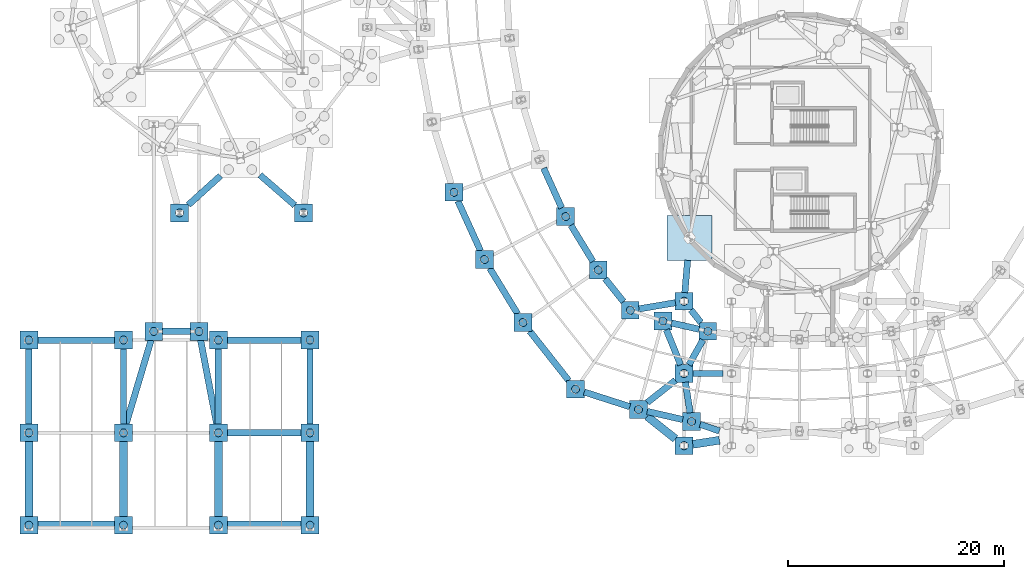
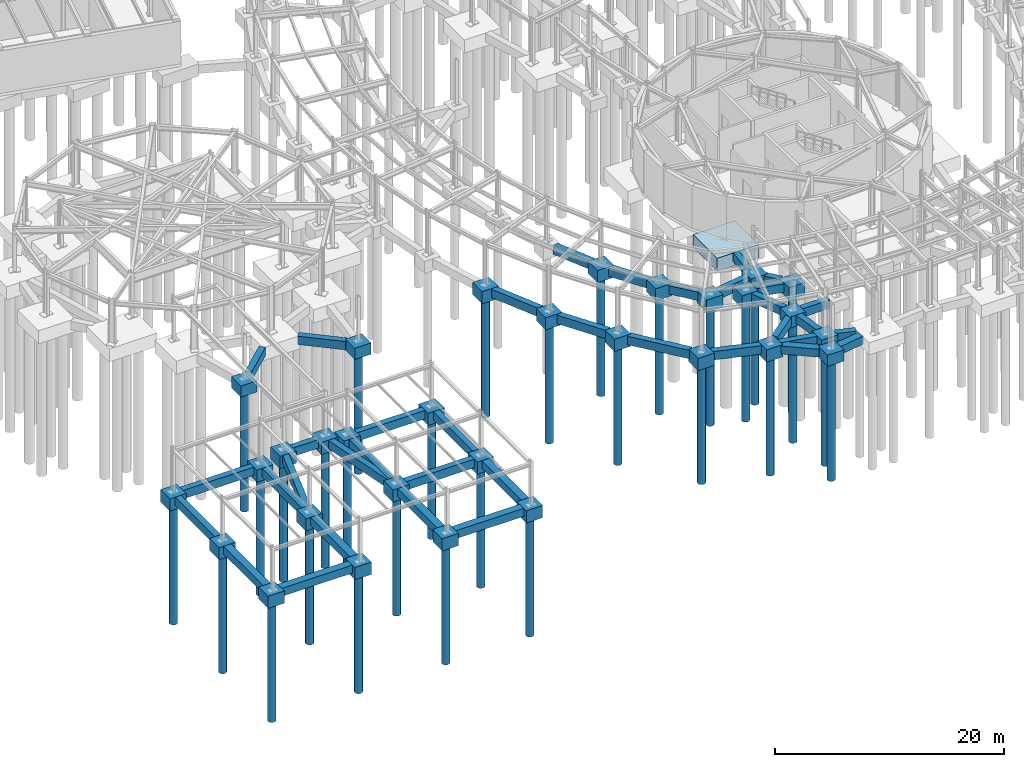
# One storey, part 1 of 50: 69 footings, 30 piles.
"""IFC4 building model written with IfcOpenShell, lengths in metres."""

from ifc_helpers import new_model, si_unit, direction, frame, origin, origin_2d, place, context, subcontext, project, spatial, rectangle, circle, extrude, material, material_profile, profile_set, type_object, element, save


model = new_model("IFC4")

# Units and contexts
model_context = context("Model", 3, precision=1e-05, world=origin(), true_north=direction((0.0, 1.0)))
body_context = subcontext(model_context, "Body", "Model", "MODEL_VIEW")
ifc_project = project(units=[si_unit("LENGTHUNIT", "METRE"), si_unit("AREAUNIT", "SQUARE_METRE"), si_unit("VOLUMEUNIT", "CUBIC_METRE"), si_unit("PLANEANGLEUNIT", "RADIAN"), si_unit("MASSUNIT", "GRAM", prefix="KILO")], contexts=[model_context])

# Site, building, storey
site_placement = place(None, origin())
site = spatial("IfcSite", under=ifc_project, at=site_placement, CompositionType="ELEMENT")
building_placement = place(site_placement, origin())
building = spatial("IfcBuilding", under=site, at=building_placement, Name="Varnklinge Art Gallery", CompositionType="ELEMENT")
storey_placement = place(building_placement, frame((0.0, 0.0, -4.800048828125)))
storey = spatial("IfcBuildingStorey", under=building, at=storey_placement, Name="B01", CompositionType="ELEMENT", Elevation=-4.800048828125)

# Footings
ifc_material_1 = material(Name="Concrete C35/45", Category="concrete")
footing_type_1 = type_object("IfcFootingType", Name="FB-08", PredefinedType="FOOTING_BEAM", material=ifc_material_1)
footing_1_placement = place(storey_placement, frame((65.89794921875, 20.05908203125, -0.89990234375), z_axis=(0.0, 0.0, 1.0), x_axis=(0.488925770283, 0.872325392932, 0.0)))
element("IfcFooting", 1, at=footing_1_placement, inside=storey, type_object=footing_type_1, Name="B01 Ground Tie Beam FBM-035", PredefinedType="FOOTING_BEAM", context=body_context, shape_type="SweptSolid", body=[
    extrude(rectangle(XDim=2.645751953125, YDim=0.60009765625, at=origin_2d()), origin(), (0.0, 0.0, 1.0), 0.89990234375),
])
footing_2_placement = place(storey_placement, frame((17.699951171875, 22.0, -0.89990234375), z_axis=(0.0, 0.0, 1.0), x_axis=(1.0, 0.0, 0.0)))
element("IfcFooting", 2, at=footing_2_placement, inside=storey, type_object=footing_type_1, Name="B01 Ground Tie Beam FBM-049", PredefinedType="FOOTING_BEAM", context=body_context, shape_type="SweptSolid", body=[
    extrude(rectangle(XDim=2.590087890625, YDim=0.60009765625, at=origin_2d()), origin(), (0.0, 0.0, 1.0), 0.89990234375),
])
footing_3_placement = place(storey_placement, frame((64.91259765625, 22.492431640625, -0.89990234375), z_axis=(0.0, 0.0, 1.0), x_axis=(0.975033218117, -0.222059054235, 0.0)))
element("IfcFooting", 3, at=footing_3_placement, inside=storey, type_object=footing_type_1, Name="B01 Ground Tie Beam FBM-058", PredefinedType="FOOTING_BEAM", context=body_context, shape_type="SweptSolid", body=[
    extrude(rectangle(XDim=2.62255859375, YDim=0.60009765625, at=origin_2d()), origin(), (0.0, 0.0, 1.0), 0.89990234375),
])
ifc_material_2 = material(Name="Concrete C35/45", Category="concrete")
footing_type_2 = type_object("IfcFootingType", Name="FB-09", PredefinedType="FOOTING_BEAM", material=ifc_material_2)
footing_4_placement = place(storey_placement, frame((63.02490234375, 14.2041015625, -0.89990234375), z_axis=(0.0, 0.0, 1.0), x_axis=(0.975033218117, -0.222059054235, 0.0)))
element("IfcFooting", 4, at=footing_4_placement, inside=storey, type_object=footing_type_2, Name="B01 Ground Tie Beam FBM-023", PredefinedType="FOOTING_BEAM", context=body_context, shape_type="SweptSolid", body=[
    extrude(rectangle(XDim=3.384521484375, YDim=0.60009765625, at=origin_2d()), origin(), (0.0, 0.0, 1.0), 0.89990234375),
])
footing_5_placement = place(storey_placement, frame((62.68505859375, 16.431396484375, -0.89990234375), z_axis=(0.0, 0.0, 1.0), x_axis=(0.785100778485, 0.619368038909, 0.0)))
element("IfcFooting", 5, at=footing_5_placement, inside=storey, type_object=footing_type_2, Name="B01 Ground Tie Beam FBM-024", PredefinedType="FOOTING_BEAM", context=body_context, shape_type="SweptSolid", body=[
    extrude(rectangle(XDim=3.337158203125, YDim=0.60009765625, at=origin_2d()), origin(), (0.0, 0.0, 1.0), 0.89990234375),
])
footing_6_placement = place(storey_placement, frame((62.306884765625, 24.37939453125, -0.89990234375), z_axis=(0.0, 0.0, 1.0), x_axis=(0.98608322182, 0.166252457562, 0.0)))
element("IfcFooting", 6, at=footing_6_placement, inside=storey, type_object=footing_type_2, Name="B01 Ground Tie Beam FBM-063", PredefinedType="FOOTING_BEAM", context=body_context, shape_type="SweptSolid", body=[
    extrude(rectangle(XDim=3.423583984375, YDim=0.60009765625, at=origin_2d()), origin(), (0.0, 0.0, 1.0), 0.89990234375),
])
ifc_material_3 = material(Name="Concrete C35/45", Category="concrete")
footing_type_3 = type_object("IfcFootingType", Name="FB-10", PredefinedType="FOOTING_BEAM", material=ifc_material_3)
for number, where, z_axis, x_axis, name in (
    (7, (4.02490234375, 16.89990234375, -0.89990234375), (0.0, 0.0, 1.0), (0.0, 1.0, 0.0), "B01 Ground Tie Beam FBM-013"),
    (8, (12.800048828125, 16.89990234375, -0.89990234375), (0.0, 0.0, 1.0), (0.0, 1.0, 0.0), "B01 Ground Tie Beam FBM-014"),
    (9, (21.60009765625, 16.89990234375, -0.89990234375), (0.0, 0.0, 1.0), (0.0, -1.0, 0.0), "B01 Ground Tie Beam FBM-044"),
    (10, (30.10009765625, 16.89990234375, -0.89990234375), (0.0, 0.0, 1.0), (0.0, -1.0, 0.0), "B01 Ground Tie Beam FBM-045"),
):
    element("IfcFooting", number, at=place(storey_placement, frame(where, z_axis=z_axis, x_axis=x_axis)), inside=storey, type_object=footing_type_3, Name=name, PredefinedType="FOOTING_BEAM", context=body_context, shape_type="SweptSolid", body=[
        extrude(rectangle(XDim=6.989990234375, YDim=0.60009765625, at=origin_2d()), origin(), (0.0, 0.0, 1.0), 0.89990234375),
    ])
ifc_material_4 = material(Name="Concrete C35/45", Category="concrete")
footing_type_4 = type_object("IfcFootingType", Name="FB-11", PredefinedType="FOOTING_BEAM", material=ifc_material_4)
for number, where, z_axis, x_axis, name in (
    (11, (25.85009765625, 12.60009765625, -0.89990234375), (0.0, 0.0, 1.0), (1.0, 0.0, 0.0), "B01 Ground Tie Beam FBM-015"),
    (12, (25.85009765625, 21.199951171875, -0.89990234375), (0.0, 0.0, 1.0), (1.0, 0.0, 0.0), "B01 Ground Tie Beam FBM-043"),
):
    element("IfcFooting", number, at=place(storey_placement, frame(where, z_axis=z_axis, x_axis=x_axis)), inside=storey, type_object=footing_type_4, Name=name, PredefinedType="FOOTING_BEAM", context=body_context, shape_type="SweptSolid", body=[
        extrude(rectangle(XDim=6.889892578125, YDim=0.60009765625, at=origin_2d()), origin(), (0.0, 0.0, 1.0), 0.89990234375),
    ])
ifc_material_5 = material(Name="Concrete C35/45", Category="concrete")
footing_type_5 = type_object("IfcFootingType", Name="FB-13", PredefinedType="FOOTING_BEAM", material=ifc_material_5)
footing_7_placement = place(storey_placement, frame((67.1826171875, 13.07421875, -0.89990234375), z_axis=(0.0, 0.0, 1.0), x_axis=(-0.94815738489, 0.317801153992, 0.0)))
element("IfcFooting", 13, at=footing_7_placement, inside=storey, type_object=footing_type_5, Name="B01 Ground Tie Beam FBM-018", PredefinedType="FOOTING_BEAM", context=body_context, shape_type="SweptSolid", body=[
    extrude(rectangle(XDim=1.893310546875, YDim=0.60009765625, at=origin_2d()), origin(), (0.0, 0.0, 1.0), 0.89990234375),
])
ifc_material_6 = material(Name="Concrete C35/45", Category="concrete")
footing_type_6 = type_object("IfcFootingType", Name="FB-14", PredefinedType="FOOTING_BEAM", material=ifc_material_6)
footing_8_placement = place(storey_placement, frame((27.077392578125, 35.104736328125, -0.89990234375), z_axis=(0.0, 0.0, 1.0), x_axis=(-0.754938542041, 0.655795545685, 0.0)))
element("IfcFooting", 14, at=footing_8_placement, inside=storey, type_object=footing_type_6, Name="B01 Ground Tie Beam FBM-264", PredefinedType="FOOTING_BEAM", context=body_context, shape_type="SweptSolid", body=[
    extrude(rectangle(XDim=4.285400390625, YDim=0.60009765625, at=origin_2d()), origin(), (0.0, 0.0, 1.0), 0.89990234375),
])
ifc_material_7 = material(Name="Concrete C35/45", Category="concrete")
footing_type_7 = type_object("IfcFootingType", Name="FB-15", PredefinedType="FOOTING_BEAM", material=ifc_material_7)
footing_9_placement = place(storey_placement, frame((65.139892578125, 15.87255859375, -0.89990234375), z_axis=(0.0, 0.0, 1.0), x_axis=(-0.15091576158, 0.988546626572, 0.0)))
element("IfcFooting", 15, at=footing_9_placement, inside=storey, type_object=footing_type_7, Name="B01 Ground Tie Beam FBM-021", PredefinedType="FOOTING_BEAM", context=body_context, shape_type="SweptSolid", body=[
    extrude(rectangle(XDim=2.8779296875, YDim=0.60009765625, at=origin_2d()), origin(), (0.0, 0.0, 1.0), 0.89990234375),
])
footing_10_placement = place(storey_placement, frame((67.0, 18.10009765625, -0.89990234375), z_axis=(0.0, 0.0, 1.0), x_axis=(1.0, 0.0, 0.0)))
element("IfcFooting", 16, at=footing_10_placement, inside=storey, type_object=footing_type_7, Name="B01 Ground Tie Beam FBM-034", PredefinedType="FOOTING_BEAM", context=body_context, shape_type="SweptSolid", body=[
    extrude(rectangle(XDim=2.7900390625, YDim=0.60009765625, at=origin_2d()), origin(), (0.0, 0.0, 1.0), 0.89990234375),
])
footing_11_placement = place(storey_placement, frame((58.325439453125, 25.827392578125, -0.89990234375), z_axis=(0.0, 0.0, 1.0), x_axis=(-0.623060848454, 0.782173368969, 0.0)))
element("IfcFooting", 17, at=footing_11_placement, inside=storey, type_object=footing_type_7, Name="B01 Ground Tie Beam FBM-062", PredefinedType="FOOTING_BEAM", context=body_context, shape_type="SweptSolid", body=[
    extrude(rectangle(XDim=2.719482421875, YDim=0.60009765625, at=origin_2d()), origin(), (0.0, 0.0, 1.0), 0.89990234375),
])
ifc_material_8 = material(Name="Concrete C35/45", Category="concrete")
footing_type_8 = type_object("IfcFootingType", Name="FB-16", PredefinedType="FOOTING_BEAM", material=ifc_material_8)
footing_12_placement = place(storey_placement, frame((57.6494140625, 15.701416015625, -0.89990234375), z_axis=(0.0, 0.0, 1.0), x_axis=(0.952076024345, -0.305861478234, 0.0)))
element("IfcFooting", 18, at=footing_12_placement, inside=storey, type_object=footing_type_8, Name="B01 Ground Tie Beam FBM-027", PredefinedType="FOOTING_BEAM", context=body_context, shape_type="SweptSolid", body=[
    extrude(rectangle(XDim=4.444091796875, YDim=0.60009765625, at=origin_2d()), origin(), (0.0, 0.0, 1.0), 0.89990234375),
])
ifc_material_9 = material(Name="Concrete C35/45", Category="concrete")
footing_type_9 = type_object("IfcFootingType", Name="FB-17", PredefinedType="FOOTING_BEAM", material=ifc_material_9)
footing_13_placement = place(storey_placement, frame((52.28955078125, 19.732421875, -0.89990234375), z_axis=(0.0, 0.0, 1.0), x_axis=(-0.619368038909, 0.785100778485, 0.0)))
element("IfcFooting", 19, at=footing_13_placement, inside=storey, type_object=footing_type_9, Name="B01 Ground Tie Beam FBM-028", PredefinedType="FOOTING_BEAM", context=body_context, shape_type="SweptSolid", body=[
    extrude(rectangle(XDim=5.8271484375, YDim=0.60009765625, at=origin_2d()), origin(), (0.0, 0.0, 1.0), 0.89990234375),
])
ifc_material_10 = material(Name="Concrete C35/45", Category="concrete")
footing_type_10 = type_object("IfcFootingType", Name="FB-23", PredefinedType="FOOTING_BEAM", material=ifc_material_10)
footing_14_placement = place(storey_placement, frame((8.41259765625, 21.199951171875, -0.89990234375), z_axis=(0.0, 0.0, 1.0), x_axis=(1.0, 0.0, 0.0)))
element("IfcFooting", 20, at=footing_14_placement, inside=storey, type_object=footing_type_10, Name="B01 Ground Tie Beam FBM-042", PredefinedType="FOOTING_BEAM", context=body_context, shape_type="SweptSolid", body=[
    extrude(rectangle(XDim=7.1650390625, YDim=0.60009765625, at=origin_2d()), origin(), (0.0, 0.0, 1.0), 0.89990234375),
])
ifc_material_11 = material(Name="Concrete C35/45", Category="concrete")
footing_type_11 = type_object("IfcFootingType", Name="FB-25", PredefinedType="FOOTING_BEAM", material=ifc_material_11)
footing_15_placement = place(storey_placement, frame((14.199951171875, 17.300048828125, -0.89990234375), z_axis=(0.0, 0.0, 1.0), x_axis=(-0.285521104212, -0.958372421895, 0.0)))
element("IfcFooting", 21, at=footing_15_placement, inside=storey, type_object=footing_type_11, Name="B01 Ground Tie Beam FBM-050", PredefinedType="FOOTING_BEAM", context=body_context, shape_type="SweptSolid", body=[
    extrude(rectangle(XDim=8.12841796875, YDim=0.60009765625, at=origin_2d()), origin(), (0.0, 0.0, 1.0), 0.89990234375),
])
ifc_material_12 = material(Name="Concrete C35/45", Category="concrete")
footing_type_12 = type_object("IfcFootingType", Name="FB-26", PredefinedType="FOOTING_BEAM", material=ifc_material_12)
footing_16_placement = place(storey_placement, frame((20.699951171875, 17.300048828125, -0.89990234375), z_axis=(0.0, 0.0, 1.0), x_axis=(0.188067034735, -0.982156194526, 0.0)))
element("IfcFooting", 22, at=footing_16_placement, inside=storey, type_object=footing_type_12, Name="B01 Ground Tie Beam FBM-051", PredefinedType="FOOTING_BEAM", context=body_context, shape_type="SweptSolid", body=[
    extrude(rectangle(XDim=7.931396484375, YDim=0.60009765625, at=origin_2d()), origin(), (0.0, 0.0, 1.0), 0.89990234375),
])
ifc_material_13 = material(Name="Concrete C35/45", Category="concrete")
footing_type_13 = type_object("IfcFootingType", Name="FB-27", PredefinedType="FOOTING_BEAM", material=ifc_material_13)
footing_17_placement = place(storey_placement, frame((65.89794921875, 23.408935546875, -0.89990234375), z_axis=(0.0, 0.0, 1.0), x_axis=(-0.61964205304, 0.784884530427, 0.0)))
element("IfcFooting", 23, at=footing_17_placement, inside=storey, type_object=footing_type_13, Name="B01 Ground Tie Beam FBM-052", PredefinedType="FOOTING_BEAM", context=body_context, shape_type="SweptSolid", body=[
    extrude(rectangle(XDim=1.4931640625, YDim=0.60009765625, at=origin_2d()), origin(), (0.0, 0.0, 1.0), 0.89990234375),
])
ifc_material_14 = material(Name="Concrete C35/45", Category="concrete")
footing_type_14 = type_object("IfcFootingType", Name="FB-28", PredefinedType="FOOTING_BEAM", material=ifc_material_14)
footing_18_placement = place(storey_placement, frame((48.06689453125, 25.7470703125, -0.89990234375), z_axis=(0.0, 0.0, 1.0), x_axis=(-0.520860651188, 0.85364171761, 0.0)))
element("IfcFooting", 24, at=footing_18_placement, inside=storey, type_object=footing_type_14, Name="B01 Ground Tie Beam FBM-056", PredefinedType="FOOTING_BEAM", context=body_context, shape_type="SweptSolid", body=[
    extrude(rectangle(XDim=4.9599609375, YDim=0.60009765625, at=origin_2d()), origin(), (0.0, 0.0, 1.0), 0.89990234375),
])
footing_19_placement = place(storey_placement, frame((44.868896484375, 31.785888671875, -0.89990234375), z_axis=(0.0, 0.0, 1.0), x_axis=(-0.413422293217, 0.910539404678, 0.0)))
element("IfcFooting", 25, at=footing_19_placement, inside=storey, type_object=footing_type_14, Name="B01 Ground Tie Beam FBM-079", PredefinedType="FOOTING_BEAM", context=body_context, shape_type="SweptSolid", body=[
    extrude(rectangle(XDim=5.078125, YDim=0.60009765625, at=origin_2d()), origin(), (0.0, 0.0, 1.0), 0.89990234375),
])
ifc_material_15 = material(Name="Concrete C35/45", Category="concrete")
footing_type_15 = type_object("IfcFootingType", Name="FB-29", PredefinedType="FOOTING_BEAM", material=ifc_material_15)
footing_20_placement = place(storey_placement, frame((63.814453125, 20.533447265625, -0.89990234375), z_axis=(0.0, 0.0, 1.0), x_axis=(0.375415571225, -0.92685659564, 0.0)))
element("IfcFooting", 26, at=footing_20_placement, inside=storey, type_object=footing_type_15, Name="B01 Ground Tie Beam FBM-059", PredefinedType="FOOTING_BEAM", context=body_context, shape_type="SweptSolid", body=[
    extrude(rectangle(XDim=3.513916015625, YDim=0.60009765625, at=origin_2d()), origin(), (0.0, 0.0, 1.0), 0.89990234375),
])
ifc_material_16 = material(Name="Concrete C35/45", Category="concrete")
footing_type_16 = type_object("IfcFootingType", Name="FB-31", PredefinedType="FOOTING_BEAM", material=ifc_material_16)
footing_21_placement = place(storey_placement, frame((55.323486328125, 30.175537109375, -0.89990234375), z_axis=(0.0, 0.0, 1.0), x_axis=(-0.521009631841, 0.853550797275, 0.0)))
element("IfcFooting", 27, at=footing_21_placement, inside=storey, type_object=footing_type_16, Name="B01 Ground Tie Beam FBM-074", PredefinedType="FOOTING_BEAM", context=body_context, shape_type="SweptSolid", body=[
    extrude(rectangle(XDim=3.923583984375, YDim=0.60009765625, at=origin_2d()), origin(), (0.0, 0.0, 1.0), 0.89990234375),
])
footing_22_placement = place(storey_placement, frame((52.609619140625, 35.300048828125, -0.89990234375), z_axis=(0.0, 0.0, 1.0), x_axis=(-0.413263367815, 0.910611546611, 0.0)))
element("IfcFooting", 28, at=footing_22_placement, inside=storey, type_object=footing_type_16, Name="B01 Ground Tie Beam FBM-086", PredefinedType="FOOTING_BEAM", context=body_context, shape_type="SweptSolid", body=[
    extrude(rectangle(XDim=4.041259765625, YDim=0.60009765625, at=origin_2d()), origin(), (0.0, 0.0, 1.0), 0.89990234375),
])
footing_23_placement = place(storey_placement, frame((20.302490234375, 35.085693359375, -0.89990234375), z_axis=(0.0, 0.0, 1.0), x_axis=(-0.741156206801, -0.671332612883, 0.0)))
element("IfcFooting", 29, at=footing_23_placement, inside=storey, type_object=footing_type_16, Name="B01 Ground Tie Beam FBM-101", PredefinedType="FOOTING_BEAM", context=body_context, shape_type="SweptSolid", body=[
    extrude(rectangle(XDim=4.041015625, YDim=0.60009765625, at=origin_2d()), origin(), (0.0, 0.0, 1.0), 0.89990234375),
])
ifc_material_17 = material(Name="Concrete C35/45", Category="concrete")
footing_type_17 = type_object("IfcFootingType", Name="FB-33", PredefinedType="FOOTING_BEAM", material=ifc_material_17)
footing_24_placement = place(storey_placement, frame((64.997802734375, 27.10107421875, -1.199951171875), z_axis=(0.0, 0.0, 1.0), x_axis=(-0.085590816895, -0.99633037295, 0.0)))
element("IfcFooting", 30, at=footing_24_placement, inside=storey, type_object=footing_type_17, Name="B01 Ground Tie Beam FBM-083", PredefinedType="FOOTING_BEAM", context=body_context, shape_type="SweptSolid", body=[
    extrude(rectangle(XDim=3.0029296875, YDim=0.60009765625, at=origin_2d()), origin(), (0.0, 0.0, 1.0), 0.89990234375),
])
ifc_material_18 = material(Name="Concrete C35/45", Category="concrete")
footing_type_18 = type_object("IfcFootingType", Name="PC-01", PredefinedType="PILE_CAP", material=ifc_material_18)
for number, where, z_axis, x_axis, name in (
    (31, (4.02490234375, 4.02490234375, -1.2998046875), (0.0, 0.0, 1.0), (1.0, 0.0, 0.0), "B01 Pile Cap FCAP-001"),
    (32, (12.800048828125, 4.02490234375, -1.2998046875), (0.0, 0.0, 1.0), (1.0, 0.0, 0.0), "B01 Pile Cap FCAP-002"),
    (33, (21.60009765625, 4.02490234375, -1.2998046875), (0.0, 0.0, 1.0), (1.0, 0.0, 0.0), "B01 Pile Cap FCAP-003"),
    (34, (30.10009765625, 4.02490234375, -1.2998046875), (0.0, 0.0, 1.0), (1.0, 0.0, 0.0), "B01 Pile Cap FCAP-004"),
    (35, (4.02490234375, 12.60009765625, -1.2998046875), (0.0, 0.0, 1.0), (1.0, 0.0, 0.0), "B01 Pile Cap FCAP-008"),
    (36, (12.800048828125, 12.60009765625, -1.2998046875), (0.0, 0.0, 1.0), (1.0, 0.0, 0.0), "B01 Pile Cap FCAP-009"),
    (37, (21.60009765625, 12.60009765625, -1.2998046875), (0.0, 0.0, 1.0), (1.0, 0.0, 0.0), "B01 Pile Cap FCAP-010"),
    (38, (30.10009765625, 12.60009765625, -1.2998046875), (0.0, 0.0, 1.0), (1.0, 0.0, 0.0), "B01 Pile Cap FCAP-011"),
    (39, (65.47998046875, 13.64501953125, -1.2998046875), (0.0, 0.0, 1.0), (1.0, 0.0, 0.0), "B01 Pile Cap FCAP-016"),
    (40, (60.570068359375, 14.762939453125, -1.2998046875), (0.0, 0.0, 1.0), (1.0, 0.0, 0.0), "B01 Pile Cap FCAP-018"),
    (41, (54.72900390625, 16.639892578125, -1.2998046875), (0.0, 0.0, 1.0), (1.0, 0.0, 0.0), "B01 Pile Cap FCAP-020"),
    (42, (4.02490234375, 21.199951171875, -1.2998046875), (0.0, 0.0, 1.0), (1.0, 0.0, 0.0), "B01 Pile Cap FCAP-030"),
    (43, (12.800048828125, 21.199951171875, -1.2998046875), (0.0, 0.0, 1.0), (1.0, 0.0, 0.0), "B01 Pile Cap FCAP-031"),
    (44, (21.60009765625, 21.199951171875, -1.2998046875), (0.0, 0.0, 1.0), (1.0, 0.0, 0.0), "B01 Pile Cap FCAP-032"),
    (45, (30.10009765625, 21.199951171875, -1.2998046875), (0.0, 0.0, 1.0), (1.0, 0.0, 0.0), "B01 Pile Cap FCAP-033"),
    (46, (15.60009765625, 22.0, -1.2998046875), (0.0, 0.0, 1.0), (1.0, 0.0, 0.0), "B01 Pile Cap FCAP-037"),
    (47, (19.800048828125, 22.0, -1.2998046875), (0.0, 0.0, 1.0), (1.0, 0.0, 0.0), "B01 Pile Cap FCAP-038"),
    (48, (66.99609375, 22.01806640625, -1.2998046875), (0.0, 0.0, 1.0), (1.0, 0.0, 0.0), "B01 Pile Cap FCAP-039"),
    (49, (49.85009765625, 22.824951171875, -1.2998046875), (0.0, 0.0, 1.0), (1.0, 0.0, 0.0), "B01 Pile Cap FCAP-041"),
):
    element("IfcFooting", number, at=place(storey_placement, frame(where, z_axis=z_axis, x_axis=x_axis)), inside=storey, type_object=footing_type_18, Name=name, PredefinedType="PILE_CAP", context=body_context, shape_type="SweptSolid", body=[
        extrude(rectangle(XDim=1.64990234375, YDim=1.64990234375, at=origin_2d()), origin(), (0.0, 0.0, 1.0), 1.300048828125),
    ])
footing_25_placement = place(storey_placement, frame((62.8291015625, 22.967041015625, -1.2998046875), z_axis=(0.0, 0.0, 1.0), x_axis=(1.0, 0.0, 0.0)))
element("IfcFooting", 50, at=footing_25_placement, inside=storey, type_object=footing_type_18, Name="B01 Pile Cap FCAP-043", PredefinedType="PILE_CAP", context=body_context, shape_type="SweptSolid", body=[
    extrude(rectangle(XDim=1.65087890625, YDim=1.64990234375, at=origin_2d()), origin(), (0.0, 0.0, 1.0), 1.300048828125),
])
for number, where, z_axis, x_axis, name in (
    (51, (59.81396484375, 23.958984375, -1.2998046875), (0.0, 0.0, 1.0), (1.0, 0.0, 0.0), "B01 Pile Cap FCAP-045"),
    (52, (56.8369140625, 27.696044921875, -1.2998046875), (0.0, 0.0, 1.0), (1.0, 0.0, 0.0), "B01 Pile Cap FCAP-054"),
    (53, (46.283935546875, 28.6689453125, -1.2998046875), (0.0, 0.0, 1.0), (1.0, 0.0, 0.0), "B01 Pile Cap FCAP-058"),
    (54, (53.81005859375, 32.655029296875, -1.2998046875), (0.0, 0.0, 1.0), (1.0, 0.0, 0.0), "B01 Pile Cap FCAP-064"),
):
    element("IfcFooting", number, at=place(storey_placement, frame(where, z_axis=z_axis, x_axis=x_axis)), inside=storey, type_object=footing_type_18, Name=name, PredefinedType="PILE_CAP", context=body_context, shape_type="SweptSolid", body=[
        extrude(rectangle(XDim=1.64990234375, YDim=1.64990234375, at=origin_2d()), origin(), (0.0, 0.0, 1.0), 1.300048828125),
    ])
footing_26_placement = place(storey_placement, frame((43.4541015625, 34.903076171875, -1.2998046875), z_axis=(0.0, 0.0, 1.0), x_axis=(1.0, 0.0, 0.0)))
element("IfcFooting", 55, at=footing_26_placement, inside=storey, type_object=footing_type_18, Name="B01 Pile Cap FCAP-068", PredefinedType="PILE_CAP", context=body_context, shape_type="SweptSolid", body=[
    extrude(rectangle(XDim=1.65087890625, YDim=1.64990234375, at=origin_2d()), origin(), (0.0, 0.0, 1.0), 1.300048828125),
])
ifc_material_19 = material(Name="Concrete C35/45", Category="concrete")
footing_type_19 = type_object("IfcFootingType", Name="PC-03", PredefinedType="PILE_CAP", material=ifc_material_19)
for number, where, z_axis, x_axis, name in (
    (56, (64.800048828125, 11.39990234375, -1.19970703125), (0.0, 0.0, 1.0), (1.0, 0.0, 0.0), "B01 Pile Cap FCAP-006"),
    (57, (64.800048828125, 18.10009765625, -1.19970703125), (0.0, 0.0, 1.0), (1.0, 0.0, 0.0), "B01 Pile Cap FCAP-024"),
    (58, (64.800048828125, 24.800048828125, -1.19970703125), (0.0, 0.0, 1.0), (1.0, 0.0, 0.0), "B01 Pile Cap FCAP-048"),
    (59, (18.0, 33.0, -1.19970703125), (0.0, 0.0, 1.0), (1.0, 0.0, 0.0), "B01 Pile Cap FCAP-226"),
    (60, (29.5, 33.0, -1.19970703125), (0.0, 0.0, 1.0), (1.0, 0.0, 0.0), "B01 Pile Cap FCAP-227"),
):
    element("IfcFooting", number, at=place(storey_placement, frame(where, z_axis=z_axis, x_axis=x_axis)), inside=storey, type_object=footing_type_19, Name=name, PredefinedType="PILE_CAP", context=body_context, shape_type="SweptSolid", body=[
        extrude(rectangle(XDim=1.64990234375, YDim=1.64990234375, at=origin_2d()), origin(), (0.0, 0.0, 1.0), 1.199951171875),
    ])
ifc_material_20 = material(Name="Concrete C35/45", Category="concrete")
footing_type_20 = type_object("IfcFootingType", Name="PC-05", PredefinedType="PILE_CAP", material=ifc_material_20)
footing_27_placement = place(storey_placement, frame((65.304931640625, 30.677001953125, -1.699951171875), z_axis=(0.0, 0.0, 1.0), x_axis=(1.0, 0.0, 0.0)))
element("IfcFooting", 61, at=footing_27_placement, inside=storey, type_object=footing_type_20, Name="B01 Pile Cap FCAP-061", PredefinedType="PILE_CAP", context=body_context, shape_type="SweptSolid", body=[
    extrude(rectangle(XDim=4.199951171875, YDim=4.199951171875, at=origin_2d()), origin(), (0.0, 0.0, 1.0), 1.39990234375),
])

# Piles
ifc_material_21 = material(Name="Concrete C35/45", Category="concrete")
ifc_material_profile = material_profile(ifc_material_21, circle(Radius=0.375, at=origin_2d()), Name="PILE D750")
ifc_profile_set = profile_set([ifc_material_profile], Name="Concrete C35/45")
pile_type = type_object("IfcPileType", Name="PIL-D750", PredefinedType="BORED", material=ifc_profile_set)
for number, where, z_axis, x_axis, name in (
    (62, (4.02490234375, 4.02490234375, -1.199951171875), (0.0, 0.0, -1.0), (1.0, 0.0, 0.0), "B01 Bored Pile PILE-D750-001"),
    (63, (12.800048828125, 4.02490234375, -1.199951171875), (0.0, 0.0, -1.0), (1.0, 0.0, 0.0), "B01 Bored Pile PILE-D750-002"),
    (64, (21.60009765625, 4.02490234375, -1.199951171875), (0.0, 0.0, -1.0), (1.0, 0.0, 0.0), "B01 Bored Pile PILE-D750-003"),
    (65, (30.10009765625, 4.02490234375, -1.199951171875), (0.0, 0.0, -1.0), (1.0, 0.0, 0.0), "B01 Bored Pile PILE-D750-004"),
):
    element("IfcPile", number, at=place(storey_placement, frame(where, z_axis=z_axis, x_axis=x_axis)), inside=storey, type_object=pile_type, Name=name, PredefinedType="BORED", context=body_context, shape_type="SweptSolid", body=[
        extrude(circle(Radius=0.375, at=origin_2d()), origin(), (0.0, 0.0, 1.0), 12.800048828125),
    ])
pile_1_placement = place(storey_placement, frame((64.800048828125, 11.39990234375, -1.099853515625), z_axis=(0.0, 0.0, -1.0), x_axis=(1.0, 0.0, 0.0)))
element("IfcPile", 66, at=pile_1_placement, inside=storey, type_object=pile_type, Name="B01 Bored Pile PILE-D750-007", PredefinedType="BORED", context=body_context, shape_type="SweptSolid", body=[
    extrude(circle(Radius=0.375, at=origin_2d()), origin(), (0.0, 0.0, 1.0), 12.89990234375),
])
for number, where, z_axis, x_axis, name in (
    (67, (4.02490234375, 12.60009765625, -1.199951171875), (0.0, 0.0, -1.0), (1.0, 0.0, 0.0), "B01 Bored Pile PILE-D750-009"),
    (68, (12.800048828125, 12.60009765625, -1.199951171875), (0.0, 0.0, -1.0), (1.0, 0.0, 0.0), "B01 Bored Pile PILE-D750-010"),
    (69, (21.60009765625, 12.60009765625, -1.199951171875), (0.0, 0.0, -1.0), (1.0, 0.0, 0.0), "B01 Bored Pile PILE-D750-011"),
    (70, (30.10009765625, 12.60009765625, -1.199951171875), (0.0, 0.0, -1.0), (1.0, 0.0, 0.0), "B01 Bored Pile PILE-D750-012"),
    (71, (65.47998046875, 13.64501953125, -1.199951171875), (0.0, 0.0, -1.0), (1.0, 0.0, 0.0), "B01 Bored Pile PILE-D750-026"),
    (72, (60.570068359375, 14.762939453125, -1.199951171875), (0.0, 0.0, -1.0), (1.0, 0.0, 0.0), "B01 Bored Pile PILE-D750-028"),
    (73, (54.72900390625, 16.639892578125, -1.199951171875), (0.0, 0.0, -1.0), (1.0, 0.0, 0.0), "B01 Bored Pile PILE-D750-030"),
):
    element("IfcPile", number, at=place(storey_placement, frame(where, z_axis=z_axis, x_axis=x_axis)), inside=storey, type_object=pile_type, Name=name, PredefinedType="BORED", context=body_context, shape_type="SweptSolid", body=[
        extrude(circle(Radius=0.375, at=origin_2d()), origin(), (0.0, 0.0, 1.0), 12.800048828125),
    ])
pile_2_placement = place(storey_placement, frame((64.800048828125, 18.10009765625, -1.099853515625), z_axis=(0.0, 0.0, -1.0), x_axis=(1.0, 0.0, 0.0)))
element("IfcPile", 74, at=pile_2_placement, inside=storey, type_object=pile_type, Name="B01 Bored Pile PILE-D750-037", PredefinedType="BORED", context=body_context, shape_type="SweptSolid", body=[
    extrude(circle(Radius=0.375, at=origin_2d()), origin(), (0.0, 0.0, 1.0), 12.89990234375),
])
for number, where, z_axis, x_axis, name in (
    (75, (4.02490234375, 21.199951171875, -1.199951171875), (0.0, 0.0, -1.0), (1.0, 0.0, 0.0), "B01 Bored Pile PILE-D750-044"),
    (76, (12.800048828125, 21.199951171875, -1.199951171875), (0.0, 0.0, -1.0), (1.0, 0.0, 0.0), "B01 Bored Pile PILE-D750-045"),
    (77, (21.60009765625, 21.199951171875, -1.199951171875), (0.0, 0.0, -1.0), (1.0, 0.0, 0.0), "B01 Bored Pile PILE-D750-046"),
    (78, (30.10009765625, 21.199951171875, -1.199951171875), (0.0, 0.0, -1.0), (1.0, 0.0, 0.0), "B01 Bored Pile PILE-D750-047"),
    (79, (15.60009765625, 22.0, -1.199951171875), (0.0, 0.0, -1.0), (1.0, 0.0, 0.0), "B01 Bored Pile PILE-D750-053"),
    (80, (19.800048828125, 22.0, -1.199951171875), (0.0, 0.0, -1.0), (1.0, 0.0, 0.0), "B01 Bored Pile PILE-D750-054"),
    (81, (66.99609375, 22.01806640625, -1.199951171875), (0.0, 0.0, -1.0), (1.0, 0.0, 0.0), "B01 Bored Pile PILE-D750-055"),
    (82, (49.85009765625, 22.824951171875, -1.199951171875), (0.0, 0.0, -1.0), (1.0, 0.0, 0.0), "B01 Bored Pile PILE-D750-057"),
    (83, (62.8291015625, 22.967041015625, -1.199951171875), (0.0, 0.0, -1.0), (1.0, 0.0, 0.0), "B01 Bored Pile PILE-D750-059"),
    (84, (59.81396484375, 23.958984375, -1.199951171875), (0.0, 0.0, -1.0), (1.0, 0.0, 0.0), "B01 Bored Pile PILE-D750-061"),
):
    element("IfcPile", number, at=place(storey_placement, frame(where, z_axis=z_axis, x_axis=x_axis)), inside=storey, type_object=pile_type, Name=name, PredefinedType="BORED", context=body_context, shape_type="SweptSolid", body=[
        extrude(circle(Radius=0.375, at=origin_2d()), origin(), (0.0, 0.0, 1.0), 12.800048828125),
    ])
pile_3_placement = place(storey_placement, frame((64.800048828125, 24.800048828125, -1.099853515625), z_axis=(0.0, 0.0, -1.0), x_axis=(1.0, 0.0, 0.0)))
element("IfcPile", 85, at=pile_3_placement, inside=storey, type_object=pile_type, Name="B01 Bored Pile PILE-D750-067", PredefinedType="BORED", context=body_context, shape_type="SweptSolid", body=[
    extrude(circle(Radius=0.375, at=origin_2d()), origin(), (0.0, 0.0, 1.0), 12.89990234375),
])
for number, where, z_axis, x_axis, name in (
    (86, (56.8369140625, 27.696044921875, -1.199951171875), (0.0, 0.0, -1.0), (1.0, 0.0, 0.0), "B01 Bored Pile PILE-D750-076"),
    (87, (46.283935546875, 28.6689453125, -1.199951171875), (0.0, 0.0, -1.0), (1.0, 0.0, 0.0), "B01 Bored Pile PILE-D750-082"),
    (88, (53.81005859375, 32.655029296875, -1.199951171875), (0.0, 0.0, -1.0), (1.0, 0.0, 0.0), "B01 Bored Pile PILE-D750-088"),
    (89, (43.4541015625, 34.903076171875, -1.199951171875), (0.0, 0.0, -1.0), (1.0, 0.0, 0.0), "B01 Bored Pile PILE-D750-095"),
):
    element("IfcPile", number, at=place(storey_placement, frame(where, z_axis=z_axis, x_axis=x_axis)), inside=storey, type_object=pile_type, Name=name, PredefinedType="BORED", context=body_context, shape_type="SweptSolid", body=[
        extrude(circle(Radius=0.375, at=origin_2d()), origin(), (0.0, 0.0, 1.0), 12.800048828125),
    ])
for number, where, z_axis, x_axis, name in (
    (90, (18.0, 33.0, -1.099853515625), (0.0, 0.0, -1.0), (1.0, 0.0, 0.0), "B01 Bored Pile PILE-D750-403"),
    (91, (29.5, 33.0, -1.099853515625), (0.0, 0.0, -1.0), (1.0, 0.0, 0.0), "B01 Bored Pile PILE-D750-404"),
):
    element("IfcPile", number, at=place(storey_placement, frame(where, z_axis=z_axis, x_axis=x_axis)), inside=storey, type_object=pile_type, Name=name, PredefinedType="BORED", context=body_context, shape_type="SweptSolid", body=[
        extrude(circle(Radius=0.375, at=origin_2d()), origin(), (0.0, 0.0, 1.0), 12.89990234375),
    ])

# Footings
ifc_material_22 = material(Name="Concrete C35/45", Category="concrete")
footing_type_21 = type_object("IfcFootingType", Name="SF-01", PredefinedType="STRIP_FOOTING", material=ifc_material_22)
for number, where, z_axis, x_axis, name in (
    (92, (4.02490234375, 8.3125, -0.85009765625), (0.0, 0.0, 1.0), (0.0, 1.0, 0.0), "B01 Ground Tie Beam FBM-001"),
    (93, (12.800048828125, 8.3125, -0.85009765625), (0.0, 0.0, 1.0), (0.0, 1.0, 0.0), "B01 Ground Tie Beam FBM-003"),
    (94, (21.60009765625, 8.3125, -0.85009765625), (0.0, 0.0, 1.0), (0.0, 1.0, 0.0), "B01 Ground Tie Beam FBM-005"),
    (95, (30.10009765625, 8.3125, -0.85009765625), (0.0, 0.0, 1.0), (0.0, 1.0, 0.0), "B01 Ground Tie Beam FBM-006"),
):
    element("IfcFooting", number, at=place(storey_placement, frame(where, z_axis=z_axis, x_axis=x_axis)), inside=storey, type_object=footing_type_21, Name=name, PredefinedType="STRIP_FOOTING", context=body_context, shape_type="SweptSolid", body=[
        extrude(rectangle(XDim=6.965087890625, YDim=0.75, at=origin_2d()), origin(), (0.0, 0.0, 1.0), 0.85009765625),
    ])
ifc_material_23 = material(Name="Concrete C35/45", Category="concrete")
footing_type_22 = type_object("IfcFootingType", Name="SF-02", PredefinedType="STRIP_FOOTING", material=ifc_material_23)
footing_28_placement = place(storey_placement, frame((8.41259765625, 4.02490234375, -0.85009765625), z_axis=(0.0, 0.0, 1.0), x_axis=(1.0, 0.0, 0.0)))
element("IfcFooting", 96, at=footing_28_placement, inside=storey, type_object=footing_type_22, Name="B01 Ground Tie Beam FBM-002", PredefinedType="STRIP_FOOTING", context=body_context, shape_type="SweptSolid", body=[
    extrude(rectangle(XDim=7.1650390625, YDim=0.75, at=origin_2d()), origin(), (0.0, 0.0, 1.0), 0.85009765625),
])
ifc_material_24 = material(Name="Concrete C35/45", Category="concrete")
footing_type_23 = type_object("IfcFootingType", Name="SF-03", PredefinedType="STRIP_FOOTING", material=ifc_material_24)
footing_29_placement = place(storey_placement, frame((25.85009765625, 4.02490234375, -0.85009765625), z_axis=(0.0, 0.0, 1.0), x_axis=(1.0, 0.0, 0.0)))
element("IfcFooting", 97, at=footing_29_placement, inside=storey, type_object=footing_type_23, Name="B01 Ground Tie Beam FBM-004", PredefinedType="STRIP_FOOTING", context=body_context, shape_type="SweptSolid", body=[
    extrude(rectangle(XDim=6.889892578125, YDim=0.75, at=origin_2d()), origin(), (0.0, 0.0, 1.0), 0.85009765625),
])
ifc_material_25 = material(Name="Concrete C35/45", Category="concrete")
footing_type_24 = type_object("IfcFootingType", Name="SF-06", PredefinedType="STRIP_FOOTING", material=ifc_material_25)
footing_30_placement = place(storey_placement, frame((66.842529296875, 11.718505859375, -0.85009765625), z_axis=(0.0, 0.0, 1.0), x_axis=(0.988067633226, 0.154020622552, 0.0)))
element("IfcFooting", 98, at=footing_30_placement, inside=storey, type_object=footing_type_24, Name="B01 Ground Tie Beam FBM-009", PredefinedType="STRIP_FOOTING", context=body_context, shape_type="SweptSolid", body=[
    extrude(rectangle(XDim=2.5048828125, YDim=0.75, at=origin_2d()), origin(), (0.0, 0.0, 1.0), 0.85009765625),
])
ifc_material_26 = material(Name="Concrete C35/45", Category="concrete")
footing_type_25 = type_object("IfcFootingType", Name="SF-07", PredefinedType="STRIP_FOOTING", material=ifc_material_26)
footing_31_placement = place(storey_placement, frame((62.68505859375, 13.08154296875, -0.85009765625), z_axis=(0.0, 0.0, 1.0), x_axis=(-0.782716794233, 0.622378036266, 0.0)))
element("IfcFooting", 99, at=footing_31_placement, inside=storey, type_object=footing_type_25, Name="B01 Ground Tie Beam FBM-010", PredefinedType="STRIP_FOOTING", context=body_context, shape_type="SweptSolid", body=[
    extrude(rectangle(XDim=3.34716796875, YDim=0.75, at=origin_2d()), origin(), (0.0, 0.0, 1.0), 0.85009765625),
])

save(model, "model.ifc")
